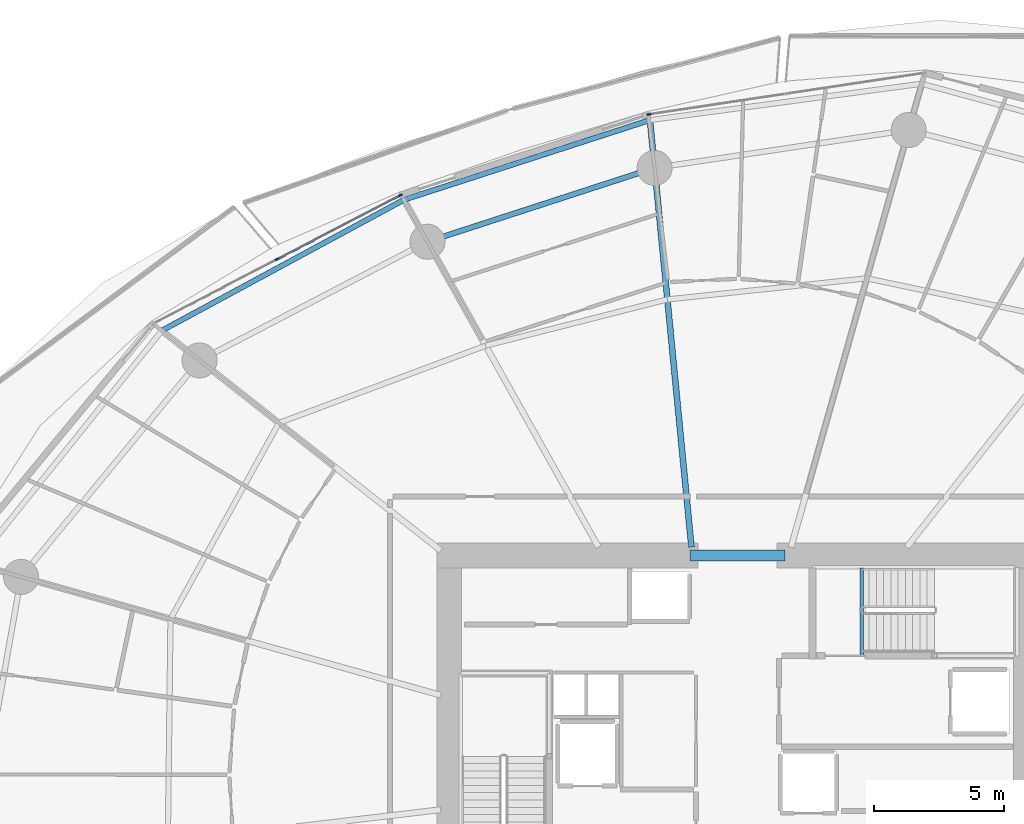
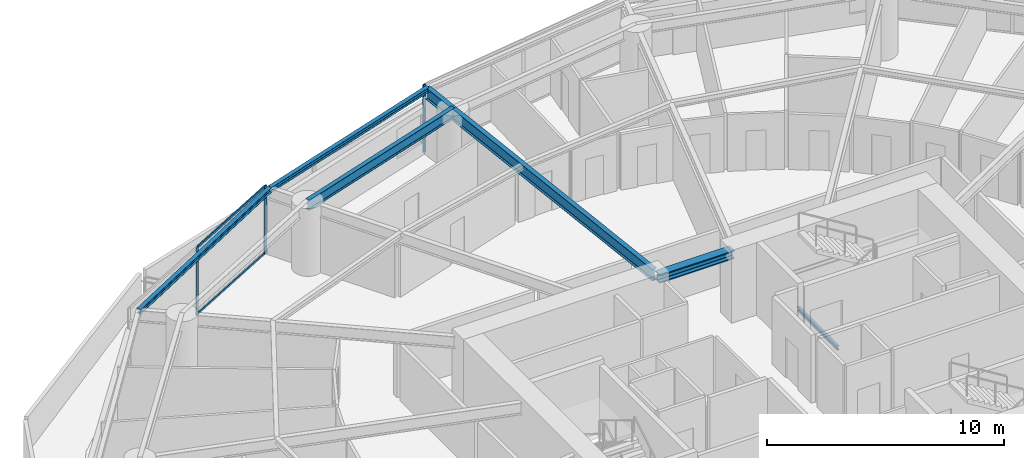
# One storey, part 13 of 31: 6 beams, 5 members, 2 elements without a shape of their own.
"""IFC4 building model written with IfcOpenShell, lengths in metres."""

from ifc_helpers import new_model, si_unit, direction, frame, origin, origin_2d, place, context, subcontext, project, spatial, rectangle, i_section, extrude, material, layer, layer_set, material_profile, profile_set, type_object, element, aggregate, save


model = new_model("IFC4")

# Units and contexts
model_context = context("Model", 3, precision=1e-05, world=origin(), true_north=direction((0.0, 1.0)))
body_context = subcontext(model_context, "Body", "Model", "MODEL_VIEW")
ifc_project = project(units=[si_unit("LENGTHUNIT", "METRE"), si_unit("AREAUNIT", "SQUARE_METRE"), si_unit("VOLUMEUNIT", "CUBIC_METRE"), si_unit("PLANEANGLEUNIT", "RADIAN"), si_unit("MASSUNIT", "GRAM", prefix="KILO")], contexts=[model_context])

# Site, building, storey
site_placement = place(None, origin())
site = spatial("IfcSite", under=ifc_project, at=site_placement, CompositionType="ELEMENT")
building_placement = place(site_placement, origin())
building = spatial("IfcBuilding", under=site, at=building_placement, Name="Kazma Halo Residences", CompositionType="ELEMENT")
storey_placement = place(building_placement, frame((0.0, 0.0, 45.14990234375)))
storey = spatial("IfcBuildingStorey", under=building, at=storey_placement, Name="L10", CompositionType="ELEMENT", Elevation=45.14990234375)

# Beams
ifc_material_1 = material(Name="Steel S355", Category="steel")
ifc_material_profile_1 = material_profile(ifc_material_1, i_section(OverallWidth=0.201904296875, OverallDepth=0.2470703125, WebThickness=0.00732421875, FlangeThickness=0.010986328125, FilletRadius=0.011962890625, at=origin_2d()), Name="W250x49.1")
ifc_profile_set_1 = profile_set([ifc_material_profile_1], Name="Steel S355")
beam_type_1 = type_object("IfcBeamType", Name="BM-BAL-CANT", PredefinedType="BEAM", material=ifc_profile_set_1)
beam_1_placement = place(storey_placement, frame((45.052734375, 67.230712890625, 3.376708984375), z_axis=(-0.951307246639, -0.308244257842, 0.0), x_axis=(0.308244257842, -0.951307246639, 0.0)))
element("IfcBeam", 1, at=beam_1_placement, inside=storey, type_object=beam_type_1, Name="L10 wave-balcony tie beam 04", PredefinedType="BEAM", context=body_context, shape_type="SweptSolid", body=[
    extrude(i_section(OverallWidth=0.201904296875, OverallDepth=0.2470703125, WebThickness=0.00732421875, FlangeThickness=0.010986328125, FilletRadius=0.011962890625, at=origin_2d()), origin(), (0.0, 0.0, 1.0), 9.949462890625),
])
beam_2_placement = place(storey_placement, frame((35.587646484375, 64.163818359375, 3.376708984375), z_axis=(-0.879759421466, -0.47541914175, 0.0), x_axis=(0.47541914175, -0.879759421466, 0.0)))
element("IfcBeam", 2, at=beam_2_placement, inside=storey, type_object=beam_type_1, Name="L10 wave-balcony tie beam 05", PredefinedType="BEAM", context=body_context, shape_type="SweptSolid", body=[
    extrude(i_section(OverallWidth=0.201904296875, OverallDepth=0.2470703125, WebThickness=0.00732421875, FlangeThickness=0.010986328125, FilletRadius=0.011962890625, at=origin_2d()), origin(), (0.0, 0.0, 1.0), 10.58935546875),
])
ifc_material_profile_2 = material_profile(ifc_material_1, i_section(OverallWidth=0.408935546875, OverallDepth=0.425048828125, WebThickness=0.03271484375, FlangeThickness=0.052490234375, FilletRadius=0.02001953125, at=origin_2d()), Name="W360x421")
ifc_profile_set_2 = profile_set([ifc_material_profile_2], Name="Steel S355")
beam_type_2 = type_object("IfcBeamType", Name="BM-CORE-W360H", PredefinedType="BEAM", material=ifc_profile_set_2)
beam_3_placement = place(storey_placement, frame((46.60009765625, 50.47509765625, 3.28759765625), z_axis=(1.0, 0.0, 0.0), x_axis=(0.0, 1.0, 0.0)))
element("IfcBeam", 3, at=beam_3_placement, inside=storey, type_object=beam_type_2, Name="L10 core coupling beam N", PredefinedType="BEAM", context=body_context, shape_type="SweptSolid", body=[
    extrude(i_section(OverallWidth=0.408935546875, OverallDepth=0.425048828125, WebThickness=0.03271484375, FlangeThickness=0.052490234375, FilletRadius=0.02001953125, at=origin_2d()), origin(), (0.0, 0.0, 1.0), 3.64990234375),
])
ifc_material_profile_3 = material_profile(ifc_material_1, i_section(OverallWidth=0.22802734375, OverallDepth=0.60791015625, WebThickness=0.01123046875, FlangeThickness=0.017333984375, FilletRadius=0.01806640625, at=origin_2d()), Name="W610x113")
ifc_profile_set_3 = profile_set([ifc_material_profile_3], Name="Steel S355")
beam_type_3 = type_object("IfcBeamType", Name="BM-RAD-W610", PredefinedType="BEAM", material=ifc_profile_set_3)
beam_4_placement = place(storey_placement, frame((46.64990234375, 50.800048828125, 3.196044921875), z_axis=(-0.096750509471, 0.995308665147, 0.0), x_axis=(-0.995308665147, -0.096750509471, 0.0)))
element("IfcBeam", 4, at=beam_4_placement, inside=storey, type_object=beam_type_3, Name="L10 radial floor beam 04", PredefinedType="BEAM", context=body_context, shape_type="SweptSolid", body=[
    extrude(i_section(OverallWidth=0.22802734375, OverallDepth=0.60791015625, WebThickness=0.01123046875, FlangeThickness=0.017333984375, FilletRadius=0.01806640625, at=origin_2d()), origin(), (0.0, 0.0, 1.0), 16.508056640625),
])
ifc_material_profile_4 = material_profile(ifc_material_1, i_section(OverallWidth=0.208984375, OverallDepth=0.532958984375, WebThickness=0.01025390625, FlangeThickness=0.015625, FilletRadius=0.01611328125, at=origin_2d()), Name="W530x92")
ifc_profile_set_4 = profile_set([ifc_material_profile_4], Name="Steel S355")
beam_type_4 = type_object("IfcBeamType", Name="BM-SPN-W530", PredefinedType="BEAM", material=ifc_profile_set_4)
beam_5_placement = place(storey_placement, frame((45.231689453125, 65.389404296875, 3.233642578125), z_axis=(-0.951054956346, -0.309021795363, 0.0), x_axis=(0.309021795363, -0.951054956346, 0.0)))
element("IfcBeam", 5, at=beam_5_placement, inside=storey, type_object=beam_type_4, Name="L10 perimeter ring beam 04", PredefinedType="BEAM", context=body_context, shape_type="SweptSolid", body=[
    extrude(i_section(OverallWidth=0.208984375, OverallDepth=0.532958984375, WebThickness=0.01025390625, FlangeThickness=0.015625, FilletRadius=0.01611328125, at=origin_2d()), origin(), (0.0, 0.0, 1.0), 9.189697265625),
])
ifc_material_profile_5 = material_profile(ifc_material_1, i_section(OverallWidth=0.133056640625, OverallDepth=0.20703125, WebThickness=0.005859375, FlangeThickness=0.00830078125, FilletRadius=0.010009765625, at=origin_2d()), Name="W200x26.6")
ifc_profile_set_5 = profile_set([ifc_material_profile_5], Name="Steel S355")
beam_type_5 = type_object("IfcBeamType", Name="BM-TRIM-W200", PredefinedType="BEAM", material=ifc_profile_set_5)
beam_6_placement = place(storey_placement, frame((53.199951171875, 46.6201171875, -0.35986328125), z_axis=(0.0, 1.0, 0.0), x_axis=(-1.0, 0.0, 0.0)))
element("IfcBeam", 6, at=beam_6_placement, inside=storey, type_object=beam_type_5, Name="L10 ST-02 floor landing support beam", PredefinedType="BEAM", context=body_context, shape_type="SweptSolid", body=[
    extrude(i_section(OverallWidth=0.133056640625, OverallDepth=0.20703125, WebThickness=0.005859375, FlangeThickness=0.00830078125, FilletRadius=0.010009765625, at=origin_2d()), origin(), (0.0, 0.0, 1.0), 3.3798828125),
])

# Curtain wall, member
ifc_material_2 = material(Name="Aluminium AW-6063 T6 and Triple-Silver Low-E Glass", Category="aluminium")
ifc_layer = layer(ifc_material_2, 0.159912109375)
ifc_layer_set = layer_set([ifc_layer], Name="Aluminium AW-6063 T6 and Triple-Silver Low-E Glass")
curtain_wall_type = type_object("IfcCurtainWallType", Name="CW-SYS-2", PredefinedType="NOTDEFINED", material=ifc_layer_set)
curtain_wall_1_placement = place(storey_placement, origin())
curtain_wall_1 = element("IfcCurtainWall", 7, at=curtain_wall_1_placement, inside=storey, type_object=curtain_wall_type, Name="L10 unitised curtain wall B03", PredefinedType="NOTDEFINED")
ifc_material_3 = material(Name="Aluminium AW-6063 T6", Category="aluminium")
ifc_material_profile_6 = material_profile(ifc_material_3, rectangle(XDim=0.06005859375, YDim=0.159912109375, at=origin_2d()), Name="CWM-60x160")
ifc_profile_set_6 = profile_set([ifc_material_profile_6], Name="Aluminium AW-6063 T6")
member_type_1 = type_object("IfcMemberType", Name="CW-SYS-2-MUL", PredefinedType="MULLION", material=ifc_profile_set_6)
member_1_placement = place(storey_placement, frame((45.018310546875, 67.447509765625, 0.0), z_axis=(0.0, 0.0, 1.0), x_axis=(0.148657272805, -0.988888777994, 0.0)))
member_1 = element("IfcMember", 8, at=member_1_placement, type_object=member_type_1, Name="CWS-2 mullion 3", PredefinedType="MULLION", context=body_context, shape_type="SweptSolid", body=[
    extrude(rectangle(XDim=0.06005859375, YDim=0.159912109375, at=origin_2d()), origin(), (0.0, 0.0, 1.0), 3.5),
])
aggregate(curtain_wall_1, [member_1])

# Curtain wall, members
curtain_wall_2_placement = place(storey_placement, origin())
curtain_wall_2 = element("IfcCurtainWall", 9, at=curtain_wall_2_placement, inside=storey, type_object=curtain_wall_type, Name="L10 unitised curtain wall B05", PredefinedType="NOTDEFINED")
member_2_placement = place(storey_placement, frame((35.45458984375, 64.340087890625, 0.0), z_axis=(0.0, 0.0, 1.0), x_axis=(0.460995912628, -0.887402258584, 0.0)))
member_2 = element("IfcMember", 10, at=member_2_placement, type_object=member_type_1, Name="CWS-2 mullion 1", PredefinedType="MULLION", context=body_context, shape_type="SweptSolid", body=[
    extrude(rectangle(XDim=0.06005859375, YDim=0.159912109375, at=origin_2d()), origin(), (0.0, 0.0, 1.0), 3.5),
])
member_3_placement = place(storey_placement, frame((30.7080078125, 61.874267578125, 0.0), z_axis=(0.0, 0.0, 1.0), x_axis=(0.460995912628, -0.887402258584, 0.0)))
member_3 = element("IfcMember", 11, at=member_3_placement, type_object=member_type_1, Name="CWS-2 mullion 2", PredefinedType="MULLION", context=body_context, shape_type="SweptSolid", body=[
    extrude(rectangle(XDim=0.06005859375, YDim=0.159912109375, at=origin_2d()), origin(), (0.0, 0.0, 1.0), 3.5),
])
ifc_material_profile_7 = material_profile(ifc_material_3, rectangle(XDim=0.06005859375, YDim=0.1201171875, at=origin_2d()), Name="CWT-60x120")
ifc_profile_set_7 = profile_set([ifc_material_profile_7], Name="Aluminium AW-6063 T6")
member_type_2 = type_object("IfcMemberType", Name="CW-SYS-2-TRN", PredefinedType="USERDEFINED", material=ifc_profile_set_7)
member_4_placement = place(storey_placement, frame((35.427978515625, 64.326171875, 0.030029296875), z_axis=(-0.887414738583, -0.460971888238, 0.0), x_axis=(0.460971888238, -0.887414738583, 0.0)))
member_4 = element("IfcMember", 12, at=member_4_placement, type_object=member_type_2, Name="CWS-2 transom 1.1", ObjectType="TRANSOM", PredefinedType="USERDEFINED", context=body_context, shape_type="SweptSolid", body=[
    extrude(rectangle(XDim=0.06005859375, YDim=0.1201171875, at=origin_2d()), origin(), (0.0, 0.0, 1.0), 5.288818359375),
])
member_5_placement = place(storey_placement, frame((35.427978515625, 64.326171875, 3.47021484375), z_axis=(-0.887414738583, -0.460971888238, 0.0), x_axis=(0.460971888238, -0.887414738583, 0.0)))
member_5 = element("IfcMember", 13, at=member_5_placement, type_object=member_type_2, Name="CWS-2 transom 1.2", ObjectType="TRANSOM", PredefinedType="USERDEFINED", context=body_context, shape_type="SweptSolid", body=[
    extrude(rectangle(XDim=0.06005859375, YDim=0.1201171875, at=origin_2d()), origin(), (0.0, 0.0, 1.0), 5.288818359375),
])
aggregate(curtain_wall_2, [member_2, member_3, member_4, member_5])

save(model, "model.ifc")
